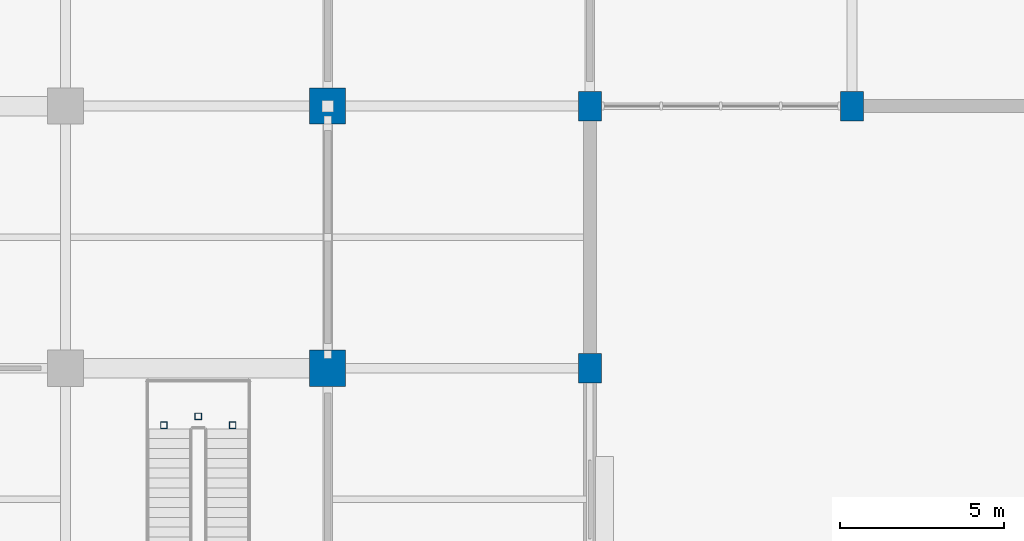
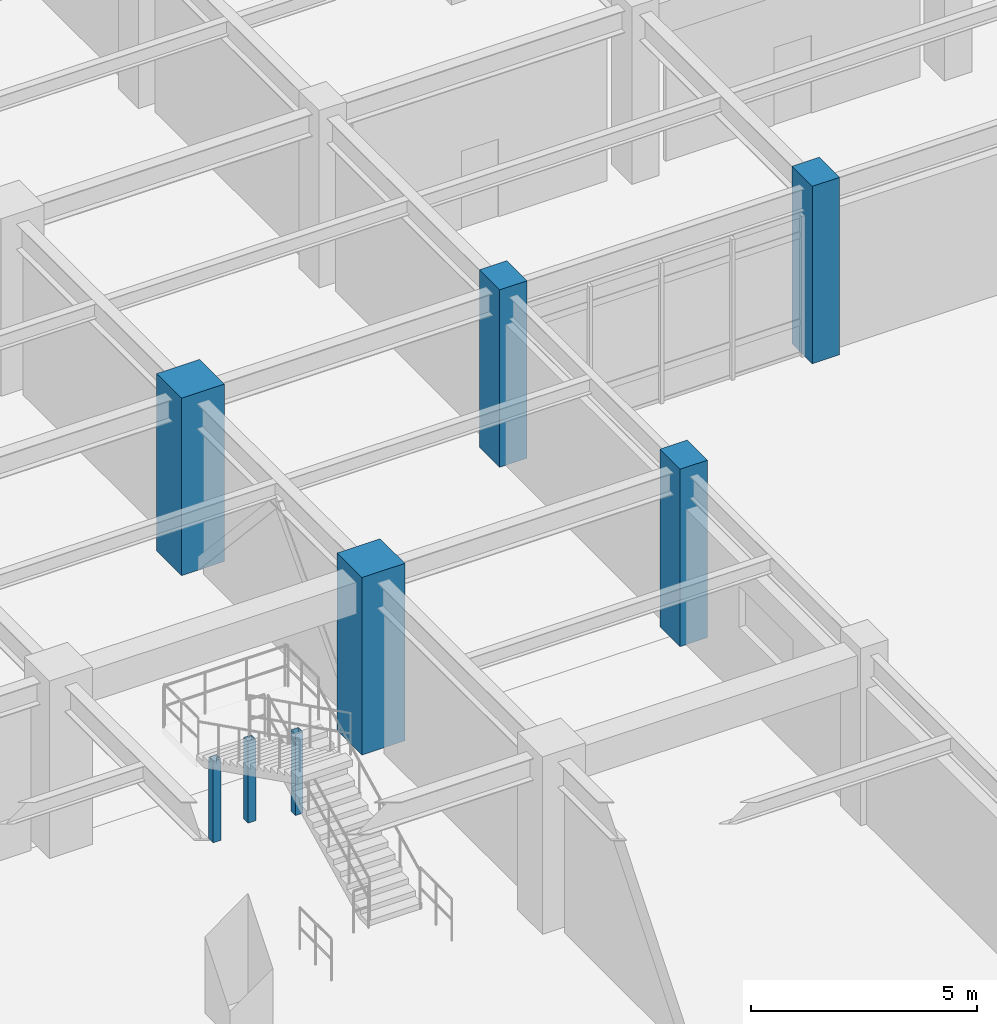
# One storey, part 20 of 125: 8 columns.
"""IFC4 building model written with IfcOpenShell, lengths in metres."""

from ifc_helpers import new_model, si_unit, direction, frame, origin, origin_2d, place, context, subcontext, project, spatial, rectangle, hollow_rectangle, extrude, material, material_profile, profile_set, type_object, element, save


model = new_model("IFC4")

# Units and contexts
model_context = context("Model", 3, precision=1e-05, world=origin(), true_north=direction((0.0, 1.0)))
body_context = subcontext(model_context, "Body", "Model", "MODEL_VIEW")
ifc_project = project(units=[si_unit("LENGTHUNIT", "METRE"), si_unit("AREAUNIT", "SQUARE_METRE"), si_unit("VOLUMEUNIT", "CUBIC_METRE"), si_unit("PLANEANGLEUNIT", "RADIAN"), si_unit("MASSUNIT", "GRAM", prefix="KILO")], contexts=[model_context])

# Site, building, storey
site_placement = place(None, origin())
site = spatial("IfcSite", under=ifc_project, at=site_placement, CompositionType="ELEMENT")
building_placement = place(site_placement, origin())
building = spatial("IfcBuilding", under=site, at=building_placement, Name="Haebicheon Civic Stadium", CompositionType="ELEMENT")
storey_placement = place(building_placement, origin())
storey = spatial("IfcBuildingStorey", under=building, at=storey_placement, Name="L01", CompositionType="ELEMENT", Elevation=0.0)

# Columns
ifc_material_1 = material(Name="Concrete C40/50", Category="concrete")
ifc_material_profile_1 = material_profile(ifc_material_1, rectangle(XDim=1.10009765625, YDim=1.10009765625, at=origin_2d()), Name="RC-COL-1100x1100")
ifc_profile_set_1 = profile_set([ifc_material_profile_1], Name="Concrete C40/50")
column_type_1 = type_object("IfcColumnType", Name="COL-RC-1100", PredefinedType="COLUMN", material=ifc_profile_set_1)
for number, where, z_axis, x_axis, name in (
    (1, (160.0, 128.0, 0.0), (0.0, 0.0, 1.0), (1.0, 0.0, 0.0), "L01 column 21/S"),
    (2, (160.0, 136.0, 0.0), (0.0, 0.0, 1.0), (1.0, 0.0, 0.0), "L01 column 21/T"),
):
    element("IfcColumn", number, at=place(storey_placement, frame(where, z_axis=z_axis, x_axis=x_axis)), inside=storey, type_object=column_type_1, material=ifc_profile_set_1, Name=name, PredefinedType="COLUMN", context=body_context, shape_type="SweptSolid", body=[
        extrude(rectangle(XDim=1.10009765625, YDim=1.10009765625, at=origin_2d()), origin(), (0.0, 0.0, 1.0), 4.800048828125),
    ])
ifc_material_2 = material(Name="Concrete C40/50", Category="concrete")
ifc_material_profile_2 = material_profile(ifc_material_2, rectangle(XDim=0.699951171875, YDim=0.89990234375, at=origin_2d()), Name="RC-COL-900x700")
ifc_profile_set_2 = profile_set([ifc_material_profile_2], Name="Concrete C40/50")
column_type_2 = type_object("IfcColumnType", Name="COL-RC-900x700", PredefinedType="COLUMN", material=ifc_profile_set_2)
for number, where, z_axis, x_axis, name in (
    (3, (168.0, 128.0, 0.0), (0.0, 0.0, 1.0), (1.0, 0.0, 0.0), "L01 column 22/S"),
    (4, (168.0, 136.0, 0.0), (0.0, 0.0, 1.0), (1.0, 0.0, 0.0), "L01 column 22/T"),
    (5, (176.0, 136.0, 0.0), (0.0, 0.0, 1.0), (1.0, 0.0, 0.0), "L01 column 23/T"),
):
    element("IfcColumn", number, at=place(storey_placement, frame(where, z_axis=z_axis, x_axis=x_axis)), inside=storey, type_object=column_type_2, material=ifc_profile_set_2, Name=name, PredefinedType="COLUMN", context=body_context, shape_type="SweptSolid", body=[
        extrude(rectangle(XDim=0.699951171875, YDim=0.89990234375, at=origin_2d()), origin(), (0.0, 0.0, 1.0), 4.800048828125),
    ])
ifc_material_3 = material(Name="Steel SM355 (S355)", Category="steel")
ifc_material_profile_3 = material_profile(ifc_material_3, hollow_rectangle(XDim=0.199951171875, YDim=0.199951171875, WallThickness=0.009033203125, at=origin_2d()), Name="RHS-200x200x9.0")
ifc_profile_set_3 = profile_set([ifc_material_profile_3], Name="Steel SM355 (S355)")
column_type_3 = type_object("IfcColumnType", Name="COL-ST-RHS200", PredefinedType="COLUMN", material=ifc_profile_set_3)
for number, where, z_axis, x_axis, name in (
    (6, (155.0, 126.260009765625, 0.0), (0.0, 0.0, 1.0), (1.0, 0.0, 0.0), "VM-08 L01 vomitory landing support post A"),
    (7, (157.10009765625, 126.260009765625, 0.0), (0.0, 0.0, 1.0), (1.0, 0.0, 0.0), "VM-08 L01 vomitory landing support post B"),
    (8, (156.050048828125, 126.530029296875, 0.0), (0.0, 0.0, 1.0), (1.0, 0.0, 0.0), "VM-08 L01 vomitory landing support post C"),
):
    element("IfcColumn", number, at=place(storey_placement, frame(where, z_axis=z_axis, x_axis=x_axis)), inside=storey, type_object=column_type_3, material=ifc_profile_set_3, Name=name, PredefinedType="COLUMN", context=body_context, shape_type="SweptSolid", body=[
        extrude(hollow_rectangle(XDim=0.199951171875, YDim=0.199951171875, WallThickness=0.009033203125, at=origin_2d()), origin(), (0.0, 0.0, 1.0), 2.199951171875),
    ])

save(model, "model.ifc")
